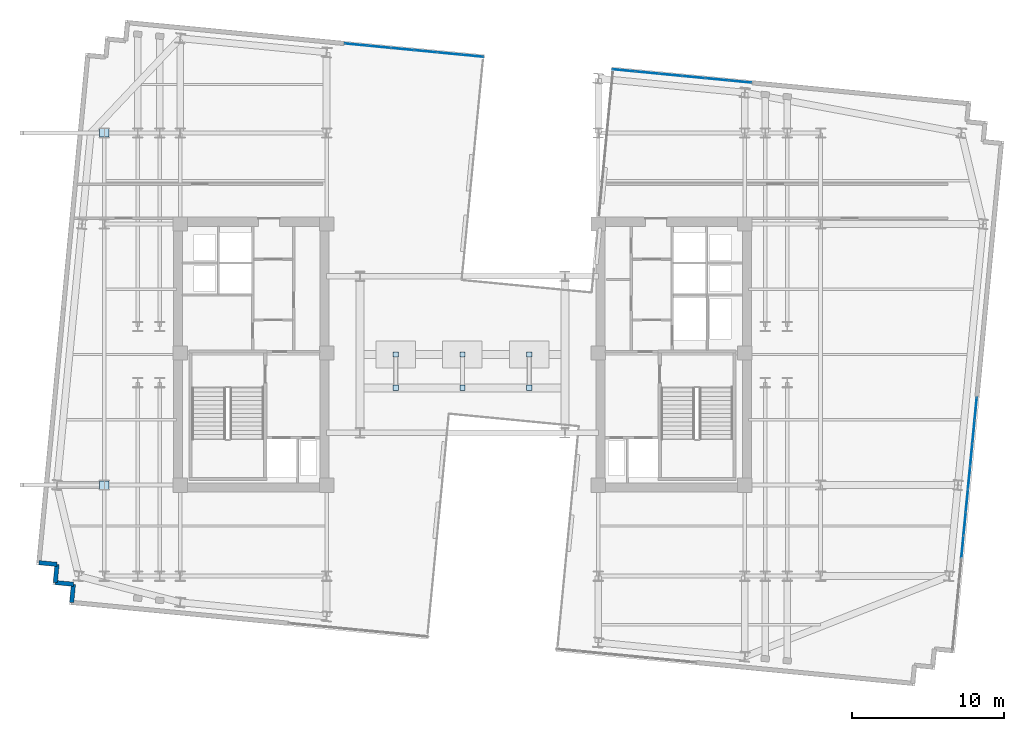
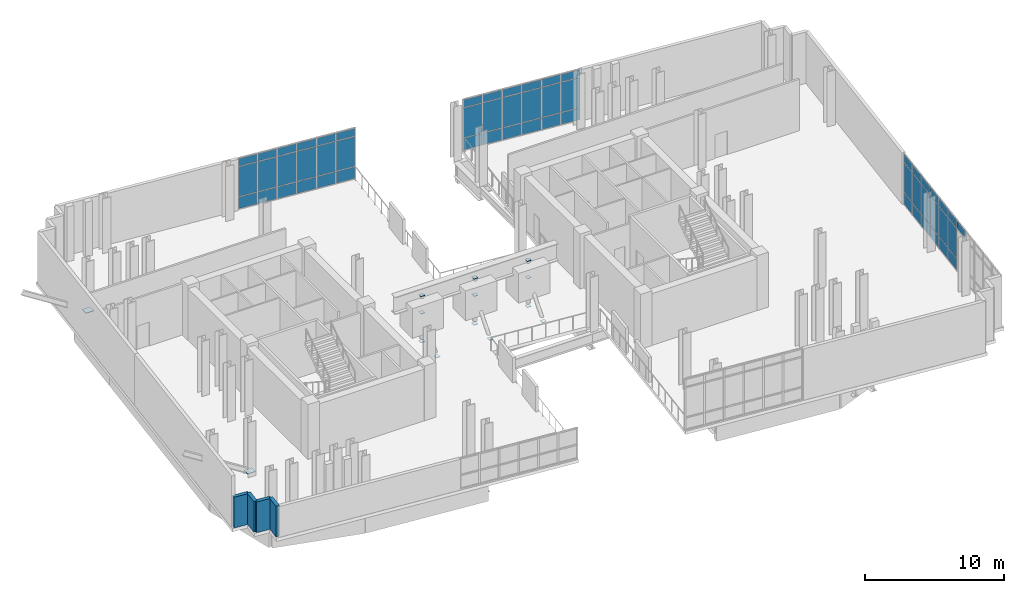
# One storey, part 11 of 16: 69 plates, 4 walls, 3 elements without a shape of their own.
"""IFC4 building model written with IfcOpenShell, lengths in metres."""

from ifc_helpers import new_model, si_unit, direction, frame, frame_2d, origin, origin_2d, place, context, subcontext, project, spatial, rectangle, extrude, material, layer, layer_set, type_object, element, aggregate, save


model = new_model("IFC4")

# Units and contexts
model_context = context("Model", 3, precision=1e-05, world=origin(), true_north=direction((0.0, 1.0)))
body_context = subcontext(model_context, "Body", "Model", "MODEL_VIEW")
ifc_project = project(units=[si_unit("LENGTHUNIT", "METRE"), si_unit("AREAUNIT", "SQUARE_METRE"), si_unit("VOLUMEUNIT", "CUBIC_METRE"), si_unit("PLANEANGLEUNIT", "RADIAN"), si_unit("MASSUNIT", "GRAM", prefix="KILO")], contexts=[model_context])

# Site, building, storey
site_placement = place(None, origin())
site = spatial("IfcSite", under=ifc_project, at=site_placement, CompositionType="ELEMENT")
building_placement = place(site_placement, origin())
building = spatial("IfcBuilding", under=site, at=building_placement, Name="Velakula Bourse", CompositionType="ELEMENT")
storey_placement = place(building_placement, frame((0.0, 0.0, 199.5)))
storey = spatial("IfcBuildingStorey", under=building, at=storey_placement, Name="L54", CompositionType="ELEMENT", Elevation=199.5)

# Plates
ifc_material_1 = material(Name="Steel IS 2062 Grade 350 (E350)", Category="steel")
ifc_layer_1 = layer(ifc_material_1, 0.0400390625, Name="Steel IS 2062 Grade 350 (E350)", Category="steel")
ifc_layer_set_1 = layer_set([ifc_layer_1], Name="Steel IS 2062 Grade 350 (E350)")
plate_type_1 = type_object("IfcPlateType", Name="PLT-ENDCAP-340", PredefinedType="USERDEFINED", material=ifc_layer_set_1)
for number, where, z_axis, x_axis, name in (
    (1, (-4.39990234375, 0.0, -0.2880859375), (0.0, 0.0, 1.0), (1.0, 0.0, 0.0), "L54 Wind-Turbine 1 Vertical Stator Post hollow end cap plate 1"),
    (2, (-4.39990234375, 0.0, 3.738037109375), (0.0, 0.0, 1.0), (1.0, 0.0, 0.0), "L54 Wind-Turbine 1 Vertical Stator Post hollow end cap plate 2"),
    (3, (-4.39990234375, -2.192138671875, -0.291015625), (0.0, 0.0, 1.0), (0.0, 1.0, 0.0), "L54 Wind-Turbine 1 Aerodynamic Stator Strut hollow end cap plate 1"),
    (4, (-4.39990234375, -0.0078125, 2.23095703125), (0.0, 0.0, 1.0), (0.0, 1.0, 0.0), "L54 Wind-Turbine 1 Aerodynamic Stator Strut hollow end cap plate 2"),
    (5, (0.0, 0.0, -0.2880859375), (0.0, 0.0, 1.0), (1.0, 0.0, 0.0), "L54 Wind-Turbine 2 Vertical Stator Post hollow end cap plate 1"),
    (6, (0.0, 0.0, 3.738037109375), (0.0, 0.0, 1.0), (1.0, 0.0, 0.0), "L54 Wind-Turbine 2 Vertical Stator Post hollow end cap plate 2"),
    (7, (0.0, -2.192138671875, -0.291015625), (0.0, 0.0, 1.0), (0.0, 1.0, 0.0), "L54 Wind-Turbine 2 Aerodynamic Stator Strut hollow end cap plate 1"),
    (8, (0.0, -0.0078125, 2.23095703125), (0.0, 0.0, 1.0), (0.0, 1.0, 0.0), "L54 Wind-Turbine 2 Aerodynamic Stator Strut hollow end cap plate 2"),
    (9, (4.39990234375, 0.0, -0.2880859375), (0.0, 0.0, 1.0), (1.0, 0.0, 0.0), "L54 Wind-Turbine 3 Vertical Stator Post hollow end cap plate 1"),
    (10, (4.39990234375, 0.0, 3.738037109375), (0.0, 0.0, 1.0), (1.0, 0.0, 0.0), "L54 Wind-Turbine 3 Vertical Stator Post hollow end cap plate 2"),
    (11, (4.39990234375, -2.192138671875, -0.291015625), (0.0, 0.0, 1.0), (0.0, 1.0, 0.0), "L54 Wind-Turbine 3 Aerodynamic Stator Strut hollow end cap plate 1"),
    (12, (4.39990234375, -0.0078125, 2.23095703125), (0.0, 0.0, 1.0), (0.0, 1.0, 0.0), "L54 Wind-Turbine 3 Aerodynamic Stator Strut hollow end cap plate 2"),
):
    element("IfcPlate", number, at=place(storey_placement, frame(where, z_axis=z_axis, x_axis=x_axis)), inside=storey, type_object=plate_type_1, Name=name, ObjectType="GUSSET PLATE", PredefinedType="USERDEFINED", context=body_context, shape_type="SweptSolid", body=[
        extrude(rectangle(XDim=0.340087890625, YDim=0.340087890625, at=origin_2d()), origin(), (0.0, 0.0, 1.0), 0.0400390625),
    ])
ifc_layer_2 = layer(ifc_material_1, 0.0400390625, Name="Steel IS 2062 Grade 350 (E350)", Category="steel")
ifc_layer_set_2 = layer_set([ifc_layer_2], Name="Steel IS 2062 Grade 350 (E350)")
plate_type_2 = type_object("IfcPlateType", Name="PLT-NODE-TRF", PredefinedType="USERDEFINED", material=ifc_layer_set_2)
for number, where, z_axis, x_axis, name in (
    (13, (-23.60009765625, -8.60009765625, 0.280029296875), (0.0, 0.0, 1.0), (-1.0, 0.0, 0.0), "L54 Transfer Raking Strut Foot Gusset W2"),
    (14, (-23.60009765625, 14.60009765625, 0.280029296875), (0.0, 0.0, 1.0), (-1.0, 0.0, 0.0), "L54 Transfer Raking Strut Foot Gusset W4"),
):
    element("IfcPlate", number, at=place(storey_placement, frame(where, z_axis=z_axis, x_axis=x_axis)), inside=storey, type_object=plate_type_2, Name=name, ObjectType="GUSSET PLATE", PredefinedType="USERDEFINED", context=body_context, shape_type="SweptSolid", body=[
        extrude(rectangle(XDim=0.639892578125, YDim=0.56005859375, at=origin_2d()), origin(), (0.0, 0.0, 1.0), 0.0400390625),
    ])

# Curtain wall, plates
ifc_material_2 = material(Name="Anodised bronze architectural aluminium", Category="aluminium")
ifc_layer_3 = layer(ifc_material_2, 0.139892578125, Name="Anodised bronze architectural aluminium", Category="aluminium")
ifc_layer_set_3 = layer_set([ifc_layer_3], Name="Anodised bronze architectural aluminium")
curtain_wall_type = type_object("IfcCurtainWallType", Name="CW-TS1", PredefinedType="NOTDEFINED", material=ifc_layer_set_3)
curtain_wall_1_placement = place(storey_placement, origin())
curtain_wall_1 = element("IfcCurtainWall", 15, at=curtain_wall_1_placement, inside=storey, type_object=curtain_wall_type, Name="L54 Venturi Observation Curtain Wall N-B2", PredefinedType="NOTDEFINED")
ifc_material_3 = material(Name="Double-glazed solar-control Low-E glass", Category="glass")
ifc_layer_4 = layer(ifc_material_3, 0.02197265625, Name="Double-glazed solar-control Low-E glass", Category="glass")
ifc_layer_set_4 = layer_set([ifc_layer_4], Name="Double-glazed solar-control Low-E glass")
plate_type_3 = type_object("IfcPlateType", Name="PNL-CW-TS1", PredefinedType="CURTAIN_PANEL", material=ifc_layer_set_4)
plate_1_placement = place(storey_placement, frame((-7.014404296875, 20.420166015625, 0.06005859375), z_axis=(0.0, 0.0, 1.0), x_axis=(0.995395883396, -0.095849023567, 0.0)))
plate_1 = element("IfcPlate", 16, at=plate_1_placement, type_object=plate_type_3, Name="CW-TS1 panel 1.1", PredefinedType="CURTAIN_PANEL", context=body_context, shape_type="SweptSolid", body=[
    extrude(rectangle(XDim=1.455810546875, YDim=0.028076171875, at=origin_2d()), origin(), (0.0, 0.0, 1.0), 1.010009765625),
])
plate_2_placement = place(storey_placement, frame((-7.014404296875, 20.420166015625, 1.1298828125), z_axis=(0.0, 0.0, 1.0), x_axis=(0.995395883396, -0.095849023567, 0.0)))
plate_2 = element("IfcPlate", 17, at=plate_2_placement, type_object=plate_type_3, Name="CW-TS1 panel 1.2", PredefinedType="CURTAIN_PANEL", context=body_context, shape_type="SweptSolid", body=[
    extrude(rectangle(XDim=1.455810546875, YDim=0.028076171875, at=origin_2d()), origin(), (0.0, 0.0, 1.0), 2.590087890625),
])
plate_3_placement = place(storey_placement, frame((-7.014404296875, 20.420166015625, 3.7802734375), z_axis=(0.0, 0.0, 1.0), x_axis=(0.995395883396, -0.095849023567, 0.0)))
plate_3 = element("IfcPlate", 18, at=plate_3_placement, type_object=plate_type_3, Name="CW-TS1 panel 1.3", PredefinedType="CURTAIN_PANEL", context=body_context, shape_type="SweptSolid", body=[
    extrude(rectangle(XDim=1.455810546875, YDim=0.028076171875, at=origin_2d()), origin(), (0.0, 0.0, 1.0), 0.659912109375),
])
plate_4_placement = place(storey_placement, frame((-5.490478515625, 20.2734375, 0.06005859375), z_axis=(0.0, 0.0, 1.0), x_axis=(0.995395883396, -0.095849023567, 0.0)))
plate_4 = element("IfcPlate", 19, at=plate_4_placement, type_object=plate_type_3, Name="CW-TS1 panel 2.1", PredefinedType="CURTAIN_PANEL", context=body_context, shape_type="SweptSolid", body=[
    extrude(rectangle(XDim=1.48583984375, YDim=0.028076171875, at=origin_2d()), origin(), (0.0, 0.0, 1.0), 1.010009765625),
])
plate_5_placement = place(storey_placement, frame((-5.490478515625, 20.2734375, 1.1298828125), z_axis=(0.0, 0.0, 1.0), x_axis=(0.995395883396, -0.095849023567, 0.0)))
plate_5 = element("IfcPlate", 20, at=plate_5_placement, type_object=plate_type_3, Name="CW-TS1 panel 2.2", PredefinedType="CURTAIN_PANEL", context=body_context, shape_type="SweptSolid", body=[
    extrude(rectangle(XDim=1.48583984375, YDim=0.028076171875, at=origin_2d()), origin(), (0.0, 0.0, 1.0), 2.590087890625),
])
plate_6_placement = place(storey_placement, frame((-5.490478515625, 20.2734375, 3.7802734375), z_axis=(0.0, 0.0, 1.0), x_axis=(0.995395883396, -0.095849023567, 0.0)))
plate_6 = element("IfcPlate", 21, at=plate_6_placement, type_object=plate_type_3, Name="CW-TS1 panel 2.3", PredefinedType="CURTAIN_PANEL", context=body_context, shape_type="SweptSolid", body=[
    extrude(rectangle(XDim=1.48583984375, YDim=0.028076171875, at=origin_2d()), origin(), (0.0, 0.0, 1.0), 0.659912109375),
])
plate_7_placement = place(storey_placement, frame((-3.951904296875, 20.125244140625, 0.06005859375), z_axis=(0.0, 0.0, 1.0), x_axis=(0.995395883396, -0.095849023567, 0.0)))
plate_7 = element("IfcPlate", 22, at=plate_7_placement, type_object=plate_type_3, Name="CW-TS1 panel 3.1", PredefinedType="CURTAIN_PANEL", context=body_context, shape_type="SweptSolid", body=[
    extrude(rectangle(XDim=1.48583984375, YDim=0.028076171875, at=origin_2d()), origin(), (0.0, 0.0, 1.0), 1.010009765625),
])
plate_8_placement = place(storey_placement, frame((-3.951904296875, 20.125244140625, 1.1298828125), z_axis=(0.0, 0.0, 1.0), x_axis=(0.995395883396, -0.095849023567, 0.0)))
plate_8 = element("IfcPlate", 23, at=plate_8_placement, type_object=plate_type_3, Name="CW-TS1 panel 3.2", PredefinedType="CURTAIN_PANEL", context=body_context, shape_type="SweptSolid", body=[
    extrude(rectangle(XDim=1.48583984375, YDim=0.028076171875, at=origin_2d()), origin(), (0.0, 0.0, 1.0), 2.590087890625),
])
plate_9_placement = place(storey_placement, frame((-3.951904296875, 20.125244140625, 3.7802734375), z_axis=(0.0, 0.0, 1.0), x_axis=(0.995395883396, -0.095849023567, 0.0)))
plate_9 = element("IfcPlate", 24, at=plate_9_placement, type_object=plate_type_3, Name="CW-TS1 panel 3.3", PredefinedType="CURTAIN_PANEL", context=body_context, shape_type="SweptSolid", body=[
    extrude(rectangle(XDim=1.48583984375, YDim=0.028076171875, at=origin_2d()), origin(), (0.0, 0.0, 1.0), 0.659912109375),
])
plate_10_placement = place(storey_placement, frame((-2.4130859375, 19.97705078125, 0.06005859375), z_axis=(0.0, 0.0, 1.0), x_axis=(0.995395883396, -0.095849023567, 0.0)))
plate_10 = element("IfcPlate", 25, at=plate_10_placement, type_object=plate_type_3, Name="CW-TS1 panel 4.1", PredefinedType="CURTAIN_PANEL", context=body_context, shape_type="SweptSolid", body=[
    extrude(rectangle(XDim=1.48583984375, YDim=0.028076171875, at=origin_2d()), origin(), (0.0, 0.0, 1.0), 1.010009765625),
])
plate_11_placement = place(storey_placement, frame((-2.4130859375, 19.97705078125, 1.1298828125), z_axis=(0.0, 0.0, 1.0), x_axis=(0.995395883396, -0.095849023567, 0.0)))
plate_11 = element("IfcPlate", 26, at=plate_11_placement, type_object=plate_type_3, Name="CW-TS1 panel 4.2", PredefinedType="CURTAIN_PANEL", context=body_context, shape_type="SweptSolid", body=[
    extrude(rectangle(XDim=1.48583984375, YDim=0.028076171875, at=origin_2d()), origin(), (0.0, 0.0, 1.0), 2.590087890625),
])
plate_12_placement = place(storey_placement, frame((-2.4130859375, 19.97705078125, 3.7802734375), z_axis=(0.0, 0.0, 1.0), x_axis=(0.995395883396, -0.095849023567, 0.0)))
plate_12 = element("IfcPlate", 27, at=plate_12_placement, type_object=plate_type_3, Name="CW-TS1 panel 4.3", PredefinedType="CURTAIN_PANEL", context=body_context, shape_type="SweptSolid", body=[
    extrude(rectangle(XDim=1.48583984375, YDim=0.028076171875, at=origin_2d()), origin(), (0.0, 0.0, 1.0), 0.659912109375),
])
plate_13_placement = place(storey_placement, frame((-0.874267578125, 19.828857421875, 0.06005859375), z_axis=(0.0, 0.0, 1.0), x_axis=(0.995395883396, -0.095849023567, 0.0)))
plate_13 = element("IfcPlate", 28, at=plate_13_placement, type_object=plate_type_3, Name="CW-TS1 panel 5.1", PredefinedType="CURTAIN_PANEL", context=body_context, shape_type="SweptSolid", body=[
    extrude(rectangle(XDim=1.48583984375, YDim=0.028076171875, at=origin_2d()), origin(), (0.0, 0.0, 1.0), 1.010009765625),
])
plate_14_placement = place(storey_placement, frame((-0.874267578125, 19.828857421875, 1.1298828125), z_axis=(0.0, 0.0, 1.0), x_axis=(0.995395883396, -0.095849023567, 0.0)))
plate_14 = element("IfcPlate", 29, at=plate_14_placement, type_object=plate_type_3, Name="CW-TS1 panel 5.2", PredefinedType="CURTAIN_PANEL", context=body_context, shape_type="SweptSolid", body=[
    extrude(rectangle(XDim=1.48583984375, YDim=0.028076171875, at=origin_2d()), origin(), (0.0, 0.0, 1.0), 2.590087890625),
])
plate_15_placement = place(storey_placement, frame((-0.874267578125, 19.828857421875, 3.7802734375), z_axis=(0.0, 0.0, 1.0), x_axis=(0.995395883396, -0.095849023567, 0.0)))
plate_15 = element("IfcPlate", 30, at=plate_15_placement, type_object=plate_type_3, Name="CW-TS1 panel 5.3", PredefinedType="CURTAIN_PANEL", context=body_context, shape_type="SweptSolid", body=[
    extrude(rectangle(XDim=1.48583984375, YDim=0.028076171875, at=origin_2d()), origin(), (0.0, 0.0, 1.0), 0.659912109375),
])
plate_16_placement = place(storey_placement, frame((0.6494140625, 19.68212890625, 0.06005859375), z_axis=(0.0, 0.0, 1.0), x_axis=(0.995395883396, -0.095849023567, 0.0)))
plate_16 = element("IfcPlate", 31, at=plate_16_placement, type_object=plate_type_3, Name="CW-TS1 panel 6.1", PredefinedType="CURTAIN_PANEL", context=body_context, shape_type="SweptSolid", body=[
    extrude(rectangle(XDim=1.455810546875, YDim=0.028076171875, at=origin_2d()), origin(), (0.0, 0.0, 1.0), 1.010009765625),
])
plate_17_placement = place(storey_placement, frame((0.6494140625, 19.68212890625, 1.1298828125), z_axis=(0.0, 0.0, 1.0), x_axis=(0.995395883396, -0.095849023567, 0.0)))
plate_17 = element("IfcPlate", 32, at=plate_17_placement, type_object=plate_type_3, Name="CW-TS1 panel 6.2", PredefinedType="CURTAIN_PANEL", context=body_context, shape_type="SweptSolid", body=[
    extrude(rectangle(XDim=1.455810546875, YDim=0.028076171875, at=origin_2d()), origin(), (0.0, 0.0, 1.0), 2.590087890625),
])
plate_18_placement = place(storey_placement, frame((0.6494140625, 19.68212890625, 3.7802734375), z_axis=(0.0, 0.0, 1.0), x_axis=(0.995395883396, -0.095849023567, 0.0)))
plate_18 = element("IfcPlate", 33, at=plate_18_placement, type_object=plate_type_3, Name="CW-TS1 panel 6.3", PredefinedType="CURTAIN_PANEL", context=body_context, shape_type="SweptSolid", body=[
    extrude(rectangle(XDim=1.455810546875, YDim=0.028076171875, at=origin_2d()), origin(), (0.0, 0.0, 1.0), 0.659912109375),
])
aggregate(curtain_wall_1, [plate_1, plate_2, plate_3, plate_4, plate_5, plate_6, plate_7, plate_8, plate_9, plate_10, plate_11, plate_12, plate_13, plate_14, plate_15, plate_16, plate_17, plate_18])

curtain_wall_2_placement = place(storey_placement, origin())
curtain_wall_2 = element("IfcCurtainWall", 34, at=curtain_wall_2_placement, inside=storey, type_object=curtain_wall_type, Name="L54 Venturi Observation Curtain Wall N-B4", PredefinedType="NOTDEFINED")
plate_19_placement = place(storey_placement, frame((10.629150390625, 18.72119140625, 0.06005859375), z_axis=(0.0, 0.0, 1.0), x_axis=(0.995395883396, -0.095849023567, 0.0)))
plate_19 = element("IfcPlate", 35, at=plate_19_placement, type_object=plate_type_3, Name="CW-TS1 panel 1.1", PredefinedType="CURTAIN_PANEL", context=body_context, shape_type="SweptSolid", body=[
    extrude(rectangle(XDim=1.455810546875, YDim=0.028076171875, at=origin_2d()), origin(), (0.0, 0.0, 1.0), 1.010009765625),
])
plate_20_placement = place(storey_placement, frame((10.629150390625, 18.72119140625, 1.1298828125), z_axis=(0.0, 0.0, 1.0), x_axis=(0.995395883396, -0.095849023567, 0.0)))
plate_20 = element("IfcPlate", 36, at=plate_20_placement, type_object=plate_type_3, Name="CW-TS1 panel 1.2", PredefinedType="CURTAIN_PANEL", context=body_context, shape_type="SweptSolid", body=[
    extrude(rectangle(XDim=1.455810546875, YDim=0.028076171875, at=origin_2d()), origin(), (0.0, 0.0, 1.0), 2.590087890625),
])
plate_21_placement = place(storey_placement, frame((10.629150390625, 18.72119140625, 3.7802734375), z_axis=(0.0, 0.0, 1.0), x_axis=(0.995395883396, -0.095849023567, 0.0)))
plate_21 = element("IfcPlate", 37, at=plate_21_placement, type_object=plate_type_3, Name="CW-TS1 panel 1.3", PredefinedType="CURTAIN_PANEL", context=body_context, shape_type="SweptSolid", body=[
    extrude(rectangle(XDim=1.455810546875, YDim=0.028076171875, at=origin_2d()), origin(), (0.0, 0.0, 1.0), 0.659912109375),
])
plate_22_placement = place(storey_placement, frame((12.15283203125, 18.574462890625, 0.06005859375), z_axis=(0.0, 0.0, 1.0), x_axis=(0.995395883396, -0.095849023567, 0.0)))
plate_22 = element("IfcPlate", 38, at=plate_22_placement, type_object=plate_type_3, Name="CW-TS1 panel 2.1", PredefinedType="CURTAIN_PANEL", context=body_context, shape_type="SweptSolid", body=[
    extrude(rectangle(XDim=1.48583984375, YDim=0.028076171875, at=origin_2d()), origin(), (0.0, 0.0, 1.0), 1.010009765625),
])
plate_23_placement = place(storey_placement, frame((12.15283203125, 18.574462890625, 1.1298828125), z_axis=(0.0, 0.0, 1.0), x_axis=(0.995395883396, -0.095849023567, 0.0)))
plate_23 = element("IfcPlate", 39, at=plate_23_placement, type_object=plate_type_3, Name="CW-TS1 panel 2.2", PredefinedType="CURTAIN_PANEL", context=body_context, shape_type="SweptSolid", body=[
    extrude(rectangle(XDim=1.48583984375, YDim=0.028076171875, at=origin_2d()), origin(), (0.0, 0.0, 1.0), 2.590087890625),
])
plate_24_placement = place(storey_placement, frame((12.15283203125, 18.574462890625, 3.7802734375), z_axis=(0.0, 0.0, 1.0), x_axis=(0.995395883396, -0.095849023567, 0.0)))
plate_24 = element("IfcPlate", 40, at=plate_24_placement, type_object=plate_type_3, Name="CW-TS1 panel 2.3", PredefinedType="CURTAIN_PANEL", context=body_context, shape_type="SweptSolid", body=[
    extrude(rectangle(XDim=1.48583984375, YDim=0.028076171875, at=origin_2d()), origin(), (0.0, 0.0, 1.0), 0.659912109375),
])
plate_25_placement = place(storey_placement, frame((13.691650390625, 18.42626953125, 0.06005859375), z_axis=(0.0, 0.0, 1.0), x_axis=(0.995395883396, -0.095849023567, 0.0)))
plate_25 = element("IfcPlate", 41, at=plate_25_placement, type_object=plate_type_3, Name="CW-TS1 panel 3.1", PredefinedType="CURTAIN_PANEL", context=body_context, shape_type="SweptSolid", body=[
    extrude(rectangle(XDim=1.48583984375, YDim=0.028076171875, at=origin_2d()), origin(), (0.0, 0.0, 1.0), 1.010009765625),
])
plate_26_placement = place(storey_placement, frame((13.691650390625, 18.42626953125, 1.1298828125), z_axis=(0.0, 0.0, 1.0), x_axis=(0.995395883396, -0.095849023567, 0.0)))
plate_26 = element("IfcPlate", 42, at=plate_26_placement, type_object=plate_type_3, Name="CW-TS1 panel 3.2", PredefinedType="CURTAIN_PANEL", context=body_context, shape_type="SweptSolid", body=[
    extrude(rectangle(XDim=1.48583984375, YDim=0.028076171875, at=origin_2d()), origin(), (0.0, 0.0, 1.0), 2.590087890625),
])
plate_27_placement = place(storey_placement, frame((13.691650390625, 18.42626953125, 3.7802734375), z_axis=(0.0, 0.0, 1.0), x_axis=(0.995395883396, -0.095849023567, 0.0)))
plate_27 = element("IfcPlate", 43, at=plate_27_placement, type_object=plate_type_3, Name="CW-TS1 panel 3.3", PredefinedType="CURTAIN_PANEL", context=body_context, shape_type="SweptSolid", body=[
    extrude(rectangle(XDim=1.48583984375, YDim=0.028076171875, at=origin_2d()), origin(), (0.0, 0.0, 1.0), 0.659912109375),
])
plate_28_placement = place(storey_placement, frame((15.230224609375, 18.278076171875, 0.06005859375), z_axis=(0.0, 0.0, 1.0), x_axis=(0.995395883396, -0.095849023567, 0.0)))
plate_28 = element("IfcPlate", 44, at=plate_28_placement, type_object=plate_type_3, Name="CW-TS1 panel 4.1", PredefinedType="CURTAIN_PANEL", context=body_context, shape_type="SweptSolid", body=[
    extrude(rectangle(XDim=1.48583984375, YDim=0.028076171875, at=origin_2d()), origin(), (0.0, 0.0, 1.0), 1.010009765625),
])
plate_29_placement = place(storey_placement, frame((15.230224609375, 18.278076171875, 1.1298828125), z_axis=(0.0, 0.0, 1.0), x_axis=(0.995395883396, -0.095849023567, 0.0)))
plate_29 = element("IfcPlate", 45, at=plate_29_placement, type_object=plate_type_3, Name="CW-TS1 panel 4.2", PredefinedType="CURTAIN_PANEL", context=body_context, shape_type="SweptSolid", body=[
    extrude(rectangle(XDim=1.48583984375, YDim=0.028076171875, at=origin_2d()), origin(), (0.0, 0.0, 1.0), 2.590087890625),
])
plate_30_placement = place(storey_placement, frame((15.230224609375, 18.278076171875, 3.7802734375), z_axis=(0.0, 0.0, 1.0), x_axis=(0.995395883396, -0.095849023567, 0.0)))
plate_30 = element("IfcPlate", 46, at=plate_30_placement, type_object=plate_type_3, Name="CW-TS1 panel 4.3", PredefinedType="CURTAIN_PANEL", context=body_context, shape_type="SweptSolid", body=[
    extrude(rectangle(XDim=1.48583984375, YDim=0.028076171875, at=origin_2d()), origin(), (0.0, 0.0, 1.0), 0.659912109375),
])
plate_31_placement = place(storey_placement, frame((16.76904296875, 18.1298828125, 0.06005859375), z_axis=(0.0, 0.0, 1.0), x_axis=(0.995395883396, -0.095849023567, 0.0)))
plate_31 = element("IfcPlate", 47, at=plate_31_placement, type_object=plate_type_3, Name="CW-TS1 panel 5.1", PredefinedType="CURTAIN_PANEL", context=body_context, shape_type="SweptSolid", body=[
    extrude(rectangle(XDim=1.48583984375, YDim=0.028076171875, at=origin_2d()), origin(), (0.0, 0.0, 1.0), 1.010009765625),
])
plate_32_placement = place(storey_placement, frame((16.76904296875, 18.1298828125, 1.1298828125), z_axis=(0.0, 0.0, 1.0), x_axis=(0.995395883396, -0.095849023567, 0.0)))
plate_32 = element("IfcPlate", 48, at=plate_32_placement, type_object=plate_type_3, Name="CW-TS1 panel 5.2", PredefinedType="CURTAIN_PANEL", context=body_context, shape_type="SweptSolid", body=[
    extrude(rectangle(XDim=1.48583984375, YDim=0.028076171875, at=origin_2d()), origin(), (0.0, 0.0, 1.0), 2.590087890625),
])
plate_33_placement = place(storey_placement, frame((16.76904296875, 18.1298828125, 3.7802734375), z_axis=(0.0, 0.0, 1.0), x_axis=(0.995395883396, -0.095849023567, 0.0)))
plate_33 = element("IfcPlate", 49, at=plate_33_placement, type_object=plate_type_3, Name="CW-TS1 panel 5.3", PredefinedType="CURTAIN_PANEL", context=body_context, shape_type="SweptSolid", body=[
    extrude(rectangle(XDim=1.48583984375, YDim=0.028076171875, at=origin_2d()), origin(), (0.0, 0.0, 1.0), 0.659912109375),
])
plate_34_placement = place(storey_placement, frame((18.292724609375, 17.983154296875, 0.06005859375), z_axis=(0.0, 0.0, 1.0), x_axis=(0.995395883396, -0.095849023567, 0.0)))
plate_34 = element("IfcPlate", 50, at=plate_34_placement, type_object=plate_type_3, Name="CW-TS1 panel 6.1", PredefinedType="CURTAIN_PANEL", context=body_context, shape_type="SweptSolid", body=[
    extrude(rectangle(XDim=1.455810546875, YDim=0.028076171875, at=origin_2d()), origin(), (0.0, 0.0, 1.0), 1.010009765625),
])
plate_35_placement = place(storey_placement, frame((18.292724609375, 17.983154296875, 1.1298828125), z_axis=(0.0, 0.0, 1.0), x_axis=(0.995395883396, -0.095849023567, 0.0)))
plate_35 = element("IfcPlate", 51, at=plate_35_placement, type_object=plate_type_3, Name="CW-TS1 panel 6.2", PredefinedType="CURTAIN_PANEL", context=body_context, shape_type="SweptSolid", body=[
    extrude(rectangle(XDim=1.455810546875, YDim=0.028076171875, at=origin_2d()), origin(), (0.0, 0.0, 1.0), 2.590087890625),
])
plate_36_placement = place(storey_placement, frame((18.292724609375, 17.983154296875, 3.7802734375), z_axis=(0.0, 0.0, 1.0), x_axis=(0.995395883396, -0.095849023567, 0.0)))
plate_36 = element("IfcPlate", 52, at=plate_36_placement, type_object=plate_type_3, Name="CW-TS1 panel 6.3", PredefinedType="CURTAIN_PANEL", context=body_context, shape_type="SweptSolid", body=[
    extrude(rectangle(XDim=1.455810546875, YDim=0.028076171875, at=origin_2d()), origin(), (0.0, 0.0, 1.0), 0.659912109375),
])
aggregate(curtain_wall_2, [plate_19, plate_20, plate_21, plate_22, plate_23, plate_24, plate_25, plate_26, plate_27, plate_28, plate_29, plate_30, plate_31, plate_32, plate_33, plate_34, plate_35, plate_36])

curtain_wall_3_placement = place(storey_placement, origin())
curtain_wall_3 = element("IfcCurtainWall", 53, at=curtain_wall_3_placement, inside=storey, type_object=curtain_wall_type, Name="L54 Turbine Plenum Curtain Wall E-W1", PredefinedType="NOTDEFINED")
plate_37_placement = place(storey_placement, frame((33.826171875, -3.572998046875, 0.06005859375), z_axis=(0.0, 0.0, 1.0), x_axis=(-0.095848704547, -0.995395914115, 0.0)))
plate_37 = element("IfcPlate", 54, at=plate_37_placement, type_object=plate_type_3, Name="CW-TS1 panel 1.1", PredefinedType="CURTAIN_PANEL", context=body_context, shape_type="SweptSolid", body=[
    extrude(rectangle(XDim=1.436279296875, YDim=0.028076171875, at=origin_2d()), origin(), (0.0, 0.0, 1.0), 1.010009765625),
])
plate_38_placement = place(storey_placement, frame((33.826171875, -3.572998046875, 1.1298828125), z_axis=(0.0, 0.0, 1.0), x_axis=(-0.095848704547, -0.995395914115, 0.0)))
plate_38 = element("IfcPlate", 55, at=plate_38_placement, type_object=plate_type_3, Name="CW-TS1 panel 1.2", PredefinedType="CURTAIN_PANEL", context=body_context, shape_type="SweptSolid", body=[
    extrude(rectangle(XDim=1.436279296875, YDim=0.028076171875, at=origin_2d()), origin(), (0.0, 0.0, 1.0), 2.590087890625),
])
plate_39_placement = place(storey_placement, frame((33.826171875, -3.572998046875, 3.7802734375), z_axis=(0.0, 0.0, 1.0), x_axis=(-0.095848704547, -0.995395914115, 0.0)))
plate_39 = element("IfcPlate", 56, at=plate_39_placement, type_object=plate_type_3, Name="CW-TS1 panel 1.3", PredefinedType="CURTAIN_PANEL", context=body_context, shape_type="SweptSolid", body=[
    extrude(rectangle(XDim=1.436279296875, YDim=0.028076171875, at=origin_2d()), origin(), (0.0, 0.0, 1.0), 0.659912109375),
])
plate_40_placement = place(storey_placement, frame((33.681396484375, -5.077392578125, 0.06005859375), z_axis=(0.0, 0.0, 1.0), x_axis=(-0.095848704547, -0.995395914115, 0.0)))
plate_40 = element("IfcPlate", 57, at=plate_40_placement, type_object=plate_type_3, Name="CW-TS1 panel 2.1", PredefinedType="CURTAIN_PANEL", context=body_context, shape_type="SweptSolid", body=[
    extrude(rectangle(XDim=1.46630859375, YDim=0.028076171875, at=origin_2d()), origin(), (0.0, 0.0, 1.0), 1.010009765625),
])
plate_41_placement = place(storey_placement, frame((33.681396484375, -5.077392578125, 1.1298828125), z_axis=(0.0, 0.0, 1.0), x_axis=(-0.095848704547, -0.995395914115, 0.0)))
plate_41 = element("IfcPlate", 58, at=plate_41_placement, type_object=plate_type_3, Name="CW-TS1 panel 2.2", PredefinedType="CURTAIN_PANEL", context=body_context, shape_type="SweptSolid", body=[
    extrude(rectangle(XDim=1.46630859375, YDim=0.028076171875, at=origin_2d()), origin(), (0.0, 0.0, 1.0), 2.590087890625),
])
plate_42_placement = place(storey_placement, frame((33.681396484375, -5.077392578125, 3.7802734375), z_axis=(0.0, 0.0, 1.0), x_axis=(-0.095848704547, -0.995395914115, 0.0)))
plate_42 = element("IfcPlate", 59, at=plate_42_placement, type_object=plate_type_3, Name="CW-TS1 panel 2.3", PredefinedType="CURTAIN_PANEL", context=body_context, shape_type="SweptSolid", body=[
    extrude(rectangle(XDim=1.46630859375, YDim=0.028076171875, at=origin_2d()), origin(), (0.0, 0.0, 1.0), 0.659912109375),
])
plate_43_placement = place(storey_placement, frame((33.53515625, -6.5966796875, 0.06005859375), z_axis=(0.0, 0.0, 1.0), x_axis=(-0.095848704547, -0.995395914115, 0.0)))
plate_43 = element("IfcPlate", 60, at=plate_43_placement, type_object=plate_type_3, Name="CW-TS1 panel 3.1", PredefinedType="CURTAIN_PANEL", context=body_context, shape_type="SweptSolid", body=[
    extrude(rectangle(XDim=1.46630859375, YDim=0.028076171875, at=origin_2d()), origin(), (0.0, 0.0, 1.0), 1.010009765625),
])
plate_44_placement = place(storey_placement, frame((33.53515625, -6.5966796875, 1.1298828125), z_axis=(0.0, 0.0, 1.0), x_axis=(-0.095848704547, -0.995395914115, 0.0)))
plate_44 = element("IfcPlate", 61, at=plate_44_placement, type_object=plate_type_3, Name="CW-TS1 panel 3.2", PredefinedType="CURTAIN_PANEL", context=body_context, shape_type="SweptSolid", body=[
    extrude(rectangle(XDim=1.46630859375, YDim=0.028076171875, at=origin_2d()), origin(), (0.0, 0.0, 1.0), 2.590087890625),
])
plate_45_placement = place(storey_placement, frame((33.53515625, -6.5966796875, 3.7802734375), z_axis=(0.0, 0.0, 1.0), x_axis=(-0.095848704547, -0.995395914115, 0.0)))
plate_45 = element("IfcPlate", 62, at=plate_45_placement, type_object=plate_type_3, Name="CW-TS1 panel 3.3", PredefinedType="CURTAIN_PANEL", context=body_context, shape_type="SweptSolid", body=[
    extrude(rectangle(XDim=1.46630859375, YDim=0.028076171875, at=origin_2d()), origin(), (0.0, 0.0, 1.0), 0.659912109375),
])
plate_46_placement = place(storey_placement, frame((33.388671875, -8.115966796875, 0.06005859375), z_axis=(0.0, 0.0, 1.0), x_axis=(-0.095848704547, -0.995395914115, 0.0)))
plate_46 = element("IfcPlate", 63, at=plate_46_placement, type_object=plate_type_3, Name="CW-TS1 panel 4.1", PredefinedType="CURTAIN_PANEL", context=body_context, shape_type="SweptSolid", body=[
    extrude(rectangle(XDim=1.46630859375, YDim=0.028076171875, at=origin_2d()), origin(), (0.0, 0.0, 1.0), 1.010009765625),
])
plate_47_placement = place(storey_placement, frame((33.388671875, -8.115966796875, 1.1298828125), z_axis=(0.0, 0.0, 1.0), x_axis=(-0.095848704547, -0.995395914115, 0.0)))
plate_47 = element("IfcPlate", 64, at=plate_47_placement, type_object=plate_type_3, Name="CW-TS1 panel 4.2", PredefinedType="CURTAIN_PANEL", context=body_context, shape_type="SweptSolid", body=[
    extrude(rectangle(XDim=1.46630859375, YDim=0.028076171875, at=origin_2d()), origin(), (0.0, 0.0, 1.0), 2.590087890625),
])
plate_48_placement = place(storey_placement, frame((33.388671875, -8.115966796875, 3.7802734375), z_axis=(0.0, 0.0, 1.0), x_axis=(-0.095848704547, -0.995395914115, 0.0)))
plate_48 = element("IfcPlate", 65, at=plate_48_placement, type_object=plate_type_3, Name="CW-TS1 panel 4.3", PredefinedType="CURTAIN_PANEL", context=body_context, shape_type="SweptSolid", body=[
    extrude(rectangle(XDim=1.46630859375, YDim=0.028076171875, at=origin_2d()), origin(), (0.0, 0.0, 1.0), 0.659912109375),
])
plate_49_placement = place(storey_placement, frame((33.242431640625, -9.635498046875, 0.06005859375), z_axis=(0.0, 0.0, 1.0), x_axis=(-0.095848704547, -0.995395914115, 0.0)))
plate_49 = element("IfcPlate", 66, at=plate_49_placement, type_object=plate_type_3, Name="CW-TS1 panel 5.1", PredefinedType="CURTAIN_PANEL", context=body_context, shape_type="SweptSolid", body=[
    extrude(rectangle(XDim=1.46630859375, YDim=0.028076171875, at=origin_2d()), origin(), (0.0, 0.0, 1.0), 1.010009765625),
])
plate_50_placement = place(storey_placement, frame((33.242431640625, -9.635498046875, 1.1298828125), z_axis=(0.0, 0.0, 1.0), x_axis=(-0.095848704547, -0.995395914115, 0.0)))
plate_50 = element("IfcPlate", 67, at=plate_50_placement, type_object=plate_type_3, Name="CW-TS1 panel 5.2", PredefinedType="CURTAIN_PANEL", context=body_context, shape_type="SweptSolid", body=[
    extrude(rectangle(XDim=1.46630859375, YDim=0.028076171875, at=origin_2d()), origin(), (0.0, 0.0, 1.0), 2.590087890625),
])
plate_51_placement = place(storey_placement, frame((33.242431640625, -9.635498046875, 3.7802734375), z_axis=(0.0, 0.0, 1.0), x_axis=(-0.095848704547, -0.995395914115, 0.0)))
plate_51 = element("IfcPlate", 68, at=plate_51_placement, type_object=plate_type_3, Name="CW-TS1 panel 5.3", PredefinedType="CURTAIN_PANEL", context=body_context, shape_type="SweptSolid", body=[
    extrude(rectangle(XDim=1.46630859375, YDim=0.028076171875, at=origin_2d()), origin(), (0.0, 0.0, 1.0), 0.659912109375),
])
plate_52_placement = place(storey_placement, frame((33.09619140625, -11.15478515625, 0.06005859375), z_axis=(0.0, 0.0, 1.0), x_axis=(-0.095848704547, -0.995395914115, 0.0)))
plate_52 = element("IfcPlate", 69, at=plate_52_placement, type_object=plate_type_3, Name="CW-TS1 panel 6.1", PredefinedType="CURTAIN_PANEL", context=body_context, shape_type="SweptSolid", body=[
    extrude(rectangle(XDim=1.46630859375, YDim=0.028076171875, at=origin_2d()), origin(), (0.0, 0.0, 1.0), 1.010009765625),
])
plate_53_placement = place(storey_placement, frame((33.09619140625, -11.15478515625, 1.1298828125), z_axis=(0.0, 0.0, 1.0), x_axis=(-0.095848704547, -0.995395914115, 0.0)))
plate_53 = element("IfcPlate", 70, at=plate_53_placement, type_object=plate_type_3, Name="CW-TS1 panel 6.2", PredefinedType="CURTAIN_PANEL", context=body_context, shape_type="SweptSolid", body=[
    extrude(rectangle(XDim=1.46630859375, YDim=0.028076171875, at=origin_2d()), origin(), (0.0, 0.0, 1.0), 2.590087890625),
])
plate_54_placement = place(storey_placement, frame((33.09619140625, -11.15478515625, 3.7802734375), z_axis=(0.0, 0.0, 1.0), x_axis=(-0.095848704547, -0.995395914115, 0.0)))
plate_54 = element("IfcPlate", 71, at=plate_54_placement, type_object=plate_type_3, Name="CW-TS1 panel 6.3", PredefinedType="CURTAIN_PANEL", context=body_context, shape_type="SweptSolid", body=[
    extrude(rectangle(XDim=1.46630859375, YDim=0.028076171875, at=origin_2d()), origin(), (0.0, 0.0, 1.0), 0.659912109375),
])
plate_55_placement = place(storey_placement, frame((32.949951171875, -12.674072265625, 3.7802734375), z_axis=(0.0, 0.0, 1.0), x_axis=(-0.095848704547, -0.995395914115, 0.0)))
plate_55 = element("IfcPlate", 72, at=plate_55_placement, type_object=plate_type_3, Name="CW-TS1 panel 7.3", PredefinedType="CURTAIN_PANEL", context=body_context, shape_type="SweptSolid", body=[
    extrude(rectangle(XDim=1.46630859375, YDim=0.028076171875, at=origin_2d()), origin(), (0.0, 0.0, 1.0), 0.659912109375),
])
aggregate(curtain_wall_3, [plate_37, plate_38, plate_39, plate_40, plate_41, plate_42, plate_43, plate_44, plate_45, plate_46, plate_47, plate_48, plate_49, plate_50, plate_51, plate_52, plate_53, plate_54, plate_55])

# Walls
ifc_material_4 = material(Name="Red kilned clay facing brick masonry", Category="masonry")
ifc_layer_5 = layer(ifc_material_4, 0.280029296875, Name="Red kilned clay facing brick masonry", Category="masonry")
ifc_layer_set_5 = layer_set([ifc_layer_5], Name="Red kilned clay facing brick masonry")
wall_type = type_object("IfcWallType", Name="WL-EXT-BRK-280", PredefinedType="STANDARD", material=ifc_layer_set_5)
wall_1_placement = place(storey_placement, frame((-27.909912109375, -13.71435546875, 0.0), z_axis=(0.0, 0.0, 1.0), x_axis=(0.995397091755, -0.095836473879, 0.0)))
element("IfcWall", 73, at=wall_1_placement, inside=storey, type_object=wall_type, Name="L54 Serrated Corner Brick Wall SW-1", PredefinedType="STANDARD", context=body_context, shape_type="SweptSolid", body=[
    extrude(rectangle(XDim=1.199951171875, YDim=0.280029296875, at=frame_2d((0.60009765625, 0.0))), origin(), (0.0, 0.0, 1.0), 2.695068359375),
])
for number, where, z_axis, x_axis, name in (
    (74, (-26.715576171875, -13.829345703125, 0.0), (0.0, 0.0, 1.0), (-0.095817067274, -0.995398960025, 0.0), "L54 Serrated Corner Brick Wall SW-2"),
    (75, (-26.83056640625, -15.02392578125, 0.0), (0.0, 0.0, 1.0), (0.995398960025, -0.095817067274, 0.0), "L54 Serrated Corner Brick Wall SW-3"),
):
    element("IfcWall", number, at=place(storey_placement, frame(where, z_axis=z_axis, x_axis=x_axis)), inside=storey, type_object=wall_type, Name=name, PredefinedType="STANDARD", context=body_context, shape_type="SweptSolid", body=[
        extrude(rectangle(XDim=1.2001953125, YDim=0.280029296875, at=frame_2d((0.60009765625, 0.0))), origin(), (0.0, 0.0, 1.0), 2.695068359375),
    ])
wall_2_placement = place(storey_placement, frame((-25.635986328125, -15.138916015625, 0.0), z_axis=(0.0, 0.0, 1.0), x_axis=(-0.096038073607, -0.995377661201, 0.0)))
element("IfcWall", 76, at=wall_2_placement, inside=storey, type_object=wall_type, Name="L54 Serrated Corner Brick Wall SW-4", PredefinedType="STANDARD", context=body_context, shape_type="SweptSolid", body=[
    extrude(rectangle(XDim=1.199951171875, YDim=0.280029296875, at=frame_2d((0.60009765625, 0.0))), origin(), (0.0, 0.0, 1.0), 2.695068359375),
])

save(model, "model.ifc")
